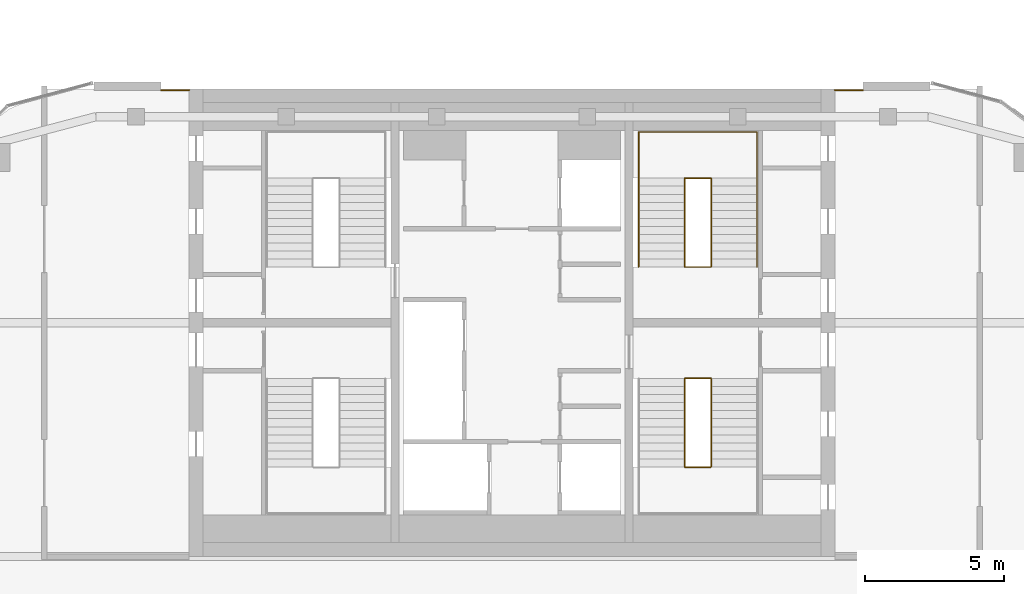
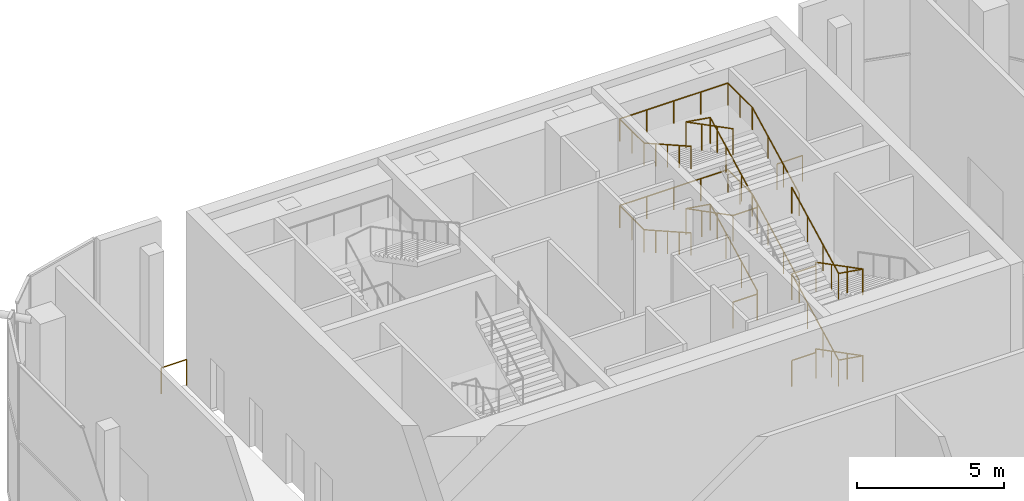
# One storey, part 23 of 23: 8 railings.
"""IFC4 building model written with IfcOpenShell, lengths in metres."""

from ifc_helpers import new_model, si_unit, direction, frame, origin, origin_2d, place, context, subcontext, project, spatial, circle, extrude, material, type_object, element, save


model = new_model("IFC4")

# Units and contexts
model_context = context("Model", 3, precision=1e-05, world=origin(), true_north=direction((0.0, 1.0)))
body_context = subcontext(model_context, "Body", "Model", "MODEL_VIEW")
ifc_project = project(units=[si_unit("LENGTHUNIT", "METRE"), si_unit("AREAUNIT", "SQUARE_METRE"), si_unit("VOLUMEUNIT", "CUBIC_METRE"), si_unit("PLANEANGLEUNIT", "RADIAN"), si_unit("MASSUNIT", "GRAM", prefix="KILO")], contexts=[model_context])

# Site, building, storey
site_placement = place(None, origin())
site = spatial("IfcSite", under=ifc_project, at=site_placement, CompositionType="ELEMENT")
building_placement = place(site_placement, origin())
building = spatial("IfcBuilding", under=site, at=building_placement, Name="Marenta Gate Hotel Tower", CompositionType="ELEMENT")
storey_placement = place(building_placement, frame((0.0, 0.0, 288.5)))
storey = spatial("IfcBuildingStorey", under=building, at=storey_placement, Name="L66", CompositionType="ELEMENT", Elevation=288.5)

# Railings
ifc_material_1 = material(Name="Stainless steel", Category="steel")
railing_type_1 = type_object("IfcRailingType", Name="Core stair handrail 950", PredefinedType="HANDRAIL", material=ifc_material_1)
railing_1_placement = place(storey_placement, frame((8.800048828125, 10.39990234375, 0.14990234375)))
element("IfcRailing", 1, at=railing_1_placement, inside=storey, type_object=railing_type_1, Name="HR-950 L66-KR-ST4-1", PredefinedType="HANDRAIL", context=body_context, shape_type="SweptSolid", body=[
    extrude(circle(Radius=0.02392578125, at=origin_2d()), frame((0.0, 0.0, 0.92578125), z_axis=(0.0, 0.888211904222, 0.459434013977), x_axis=(-1.0, 0.0, 0.0)), (0.0, 0.0, 1.0), 3.591796875),
    extrude(circle(Radius=0.02392578125, at=origin_2d()), frame((0.0, 3.190185546875, 2.576171875), z_axis=(0.0, 1.0, 0.0), x_axis=(-1.0, 0.0, 0.0)), (0.0, 0.0, 1.0), 1.659912109375),
    extrude(circle(Radius=0.02392578125, at=origin_2d()), frame((0.0, 4.85009765625, 2.576171875), z_axis=(-1.0, 0.0, 0.0), x_axis=(0.0, -1.0, 0.0)), (0.0, 0.0, 1.0), 4.25),
    extrude(circle(Radius=0.02392578125, at=origin_2d()), frame((-4.25, 4.85009765625, 2.576171875), z_axis=(0.0, -1.0, 0.0), x_axis=(1.0, 0.0, 0.0)), (0.0, 0.0, 1.0), 1.659912109375),
    extrude(circle(Radius=0.02392578125, at=origin_2d()), frame((-4.25, 3.190185546875, 2.576171875), z_axis=(0.0, -0.870925075533, 0.491415824742), x_axis=(1.0, 0.0, 0.0)), (0.0, 0.0, 1.0), 3.6630859375),
    extrude(circle(Radius=0.02099609375, at=origin_2d()), origin(), (0.0, 0.0, 1.0), 0.90185546875),
    extrude(circle(Radius=0.02099609375, at=origin_2d()), frame((0.0, 1.0634765625, 0.550048828125)), (0.0, 0.0, 1.0), 0.90185546875),
    extrude(circle(Radius=0.02099609375, at=origin_2d()), frame((0.0, 2.126708984375, 1.10009765625)), (0.0, 0.0, 1.0), 0.90185546875),
    extrude(circle(Radius=0.02099609375, at=origin_2d()), frame((0.0, 3.190185546875, 1.650146484375)), (0.0, 0.0, 1.0), 0.90185546875),
    extrude(circle(Radius=0.02099609375, at=origin_2d()), frame((0.0, 4.02001953125, 1.650146484375)), (0.0, 0.0, 1.0), 0.90185546875),
    extrude(circle(Radius=0.02099609375, at=origin_2d()), frame((0.0, 4.85009765625, 1.650146484375)), (0.0, 0.0, 1.0), 0.90185546875),
    extrude(circle(Radius=0.02099609375, at=origin_2d()), frame((-1.0625, 4.85009765625, 1.650146484375)), (0.0, 0.0, 1.0), 0.90185546875),
    extrude(circle(Radius=0.02099609375, at=origin_2d()), frame((-2.125, 4.85009765625, 1.650146484375)), (0.0, 0.0, 1.0), 0.90185546875),
    extrude(circle(Radius=0.02099609375, at=origin_2d()), frame((-3.1875, 4.85009765625, 1.650146484375)), (0.0, 0.0, 1.0), 0.90185546875),
    extrude(circle(Radius=0.02099609375, at=origin_2d()), frame((-4.25, 4.85009765625, 1.650146484375)), (0.0, 0.0, 1.0), 0.90185546875),
    extrude(circle(Radius=0.02099609375, at=origin_2d()), frame((-4.25, 4.02001953125, 1.650146484375)), (0.0, 0.0, 1.0), 0.90185546875),
    extrude(circle(Radius=0.02099609375, at=origin_2d()), frame((-4.25, 3.190185546875, 1.650146484375)), (0.0, 0.0, 1.0), 0.90185546875),
    extrude(circle(Radius=0.02099609375, at=origin_2d()), frame((-4.25, 2.392578125, 2.10009765625)), (0.0, 0.0, 1.0), 0.90185546875),
    extrude(circle(Radius=0.02099609375, at=origin_2d()), frame((-4.25, 1.59521484375, 2.55029296875)), (0.0, 0.0, 1.0), 0.90185546875),
    extrude(circle(Radius=0.02099609375, at=origin_2d()), frame((-4.25, 0.797607421875, 3.000244140625)), (0.0, 0.0, 1.0), 0.90185546875),
    extrude(circle(Radius=0.02099609375, at=origin_2d()), frame((-4.25, 0.0, 3.4501953125)), (0.0, 0.0, 1.0), 0.90185546875),
])
railing_2_placement = place(storey_placement, frame((8.800048828125, 10.39990234375, 3.75)))
element("IfcRailing", 2, at=railing_2_placement, inside=storey, type_object=railing_type_1, Name="HR-950 L66-KR-ST4-3", PredefinedType="HANDRAIL", context=body_context, shape_type="SweptSolid", body=[
    extrude(circle(Radius=0.02392578125, at=origin_2d()), frame((0.0, 0.0, 0.92578125), z_axis=(0.0, 0.888239641807, 0.459380385653), x_axis=(-1.0, 0.0, 0.0)), (0.0, 0.0, 1.0), 3.591552734375),
    extrude(circle(Radius=0.02392578125, at=origin_2d()), frame((0.0, 3.190185546875, 2.57568359375), z_axis=(0.0, 1.0, 0.0), x_axis=(-1.0, 0.0, 0.0)), (0.0, 0.0, 1.0), 1.659912109375),
    extrude(circle(Radius=0.02392578125, at=origin_2d()), frame((0.0, 4.85009765625, 2.57568359375), z_axis=(-1.0, 0.0, 0.0), x_axis=(0.0, -1.0, 0.0)), (0.0, 0.0, 1.0), 4.25),
    extrude(circle(Radius=0.02392578125, at=origin_2d()), frame((-4.25, 4.85009765625, 2.57568359375), z_axis=(0.0, -1.0, 0.0), x_axis=(1.0, 0.0, 0.0)), (0.0, 0.0, 1.0), 1.659912109375),
    extrude(circle(Radius=0.02392578125, at=origin_2d()), frame((-4.25, 3.190185546875, 2.57568359375), z_axis=(0.0, -0.870925075533, 0.491415824742), x_axis=(1.0, 0.0, 0.0)), (0.0, 0.0, 1.0), 3.6630859375),
    extrude(circle(Radius=0.02099609375, at=origin_2d()), origin(), (0.0, 0.0, 1.0), 0.90185546875),
    extrude(circle(Radius=0.02099609375, at=origin_2d()), frame((0.0, 1.0634765625, 0.550048828125)), (0.0, 0.0, 1.0), 0.90185546875),
    extrude(circle(Radius=0.02099609375, at=origin_2d()), frame((0.0, 2.126708984375, 1.099853515625)), (0.0, 0.0, 1.0), 0.90185546875),
    extrude(circle(Radius=0.02099609375, at=origin_2d()), frame((0.0, 3.190185546875, 1.64990234375)), (0.0, 0.0, 1.0), 0.90185546875),
    extrude(circle(Radius=0.02099609375, at=origin_2d()), frame((0.0, 4.02001953125, 1.64990234375)), (0.0, 0.0, 1.0), 0.90185546875),
    extrude(circle(Radius=0.02099609375, at=origin_2d()), frame((0.0, 4.85009765625, 1.64990234375)), (0.0, 0.0, 1.0), 0.90185546875),
    extrude(circle(Radius=0.02099609375, at=origin_2d()), frame((-1.0625, 4.85009765625, 1.64990234375)), (0.0, 0.0, 1.0), 0.90185546875),
    extrude(circle(Radius=0.02099609375, at=origin_2d()), frame((-2.125, 4.85009765625, 1.64990234375)), (0.0, 0.0, 1.0), 0.90185546875),
    extrude(circle(Radius=0.02099609375, at=origin_2d()), frame((-3.1875, 4.85009765625, 1.64990234375)), (0.0, 0.0, 1.0), 0.90185546875),
    extrude(circle(Radius=0.02099609375, at=origin_2d()), frame((-4.25, 4.85009765625, 1.64990234375)), (0.0, 0.0, 1.0), 0.90185546875),
    extrude(circle(Radius=0.02099609375, at=origin_2d()), frame((-4.25, 4.02001953125, 1.64990234375)), (0.0, 0.0, 1.0), 0.90185546875),
    extrude(circle(Radius=0.02099609375, at=origin_2d()), frame((-4.25, 3.190185546875, 1.64990234375)), (0.0, 0.0, 1.0), 0.90185546875),
    extrude(circle(Radius=0.02099609375, at=origin_2d()), frame((-4.25, 2.392578125, 2.099853515625)), (0.0, 0.0, 1.0), 0.90185546875),
    extrude(circle(Radius=0.02099609375, at=origin_2d()), frame((-4.25, 1.59521484375, 2.5498046875)), (0.0, 0.0, 1.0), 0.90185546875),
    extrude(circle(Radius=0.02099609375, at=origin_2d()), frame((-4.25, 0.797607421875, 3.0)), (0.0, 0.0, 1.0), 0.90185546875),
    extrude(circle(Radius=0.02099609375, at=origin_2d()), frame((-4.25, 0.0, 3.449951171875)), (0.0, 0.0, 1.0), 0.90185546875),
])
ifc_material_2 = material(Name="Stainless steel", Category="steel")
railing_type_2 = type_object("IfcRailingType", Name="Core stair well guard 1100", PredefinedType="GUARDRAIL", material=ifc_material_2)
railing_3_placement = place(storey_placement, frame((6.199951171875, 6.39990234375, 0.0)))
element("IfcRailing", 3, at=railing_3_placement, inside=storey, type_object=railing_type_2, Name="GR-1100 L66-KR-ST3-2", PredefinedType="GUARDRAIL", context=body_context, shape_type="SweptSolid", body=[
    extrude(circle(Radius=0.02392578125, at=origin_2d()), frame((0.0, 0.0, 1.076171875), z_axis=(1.0, 0.0, 0.0), x_axis=(0.0, 1.0, 0.0)), (0.0, 0.0, 1.0), 0.949951171875),
    extrude(circle(Radius=0.02392578125, at=origin_2d()), frame((0.949951171875, 0.0, 1.076171875), z_axis=(0.0, 0.0, 1.0), x_axis=(1.0, 0.0, 0.0)), (0.0, 0.0, 1.0), 0.14990234375),
    extrude(circle(Radius=0.02392578125, at=origin_2d()), frame((0.949951171875, 0.0, 1.22607421875), z_axis=(0.0, -0.888197555067, 0.459461753765), x_axis=(1.0, 0.0, 0.0)), (0.0, 0.0, 1.0), 3.591552734375),
    extrude(circle(Radius=0.02392578125, at=origin_2d()), frame((0.949951171875, -3.18994140625, 2.8759765625), z_axis=(-0.987777369502, 0.0, 0.15587131968), x_axis=(0.0, -1.0, 0.0)), (0.0, 0.0, 1.0), 0.961669921875),
    extrude(circle(Radius=0.02392578125, at=origin_2d()), frame((0.0, -3.18994140625, 3.02587890625), z_axis=(0.0, 0.888197555067, 0.459461753765), x_axis=(-1.0, 0.0, 0.0)), (0.0, 0.0, 1.0), 3.591552734375),
    extrude(circle(Radius=0.02099609375, at=origin_2d()), origin(), (0.0, 0.0, 1.0), 1.052001953125),
    extrude(circle(Radius=0.02099609375, at=origin_2d()), frame((0.949951171875, 0.0, 0.0)), (0.0, 0.0, 1.0), 1.052001953125),
    extrude(circle(Radius=0.02099609375, at=origin_2d()), frame((0.949951171875, 0.0, 0.14990234375)), (0.0, 0.0, 1.0), 1.052001953125),
    extrude(circle(Radius=0.02099609375, at=origin_2d()), frame((0.949951171875, -1.063232421875, 0.699951171875)), (0.0, 0.0, 1.0), 1.052001953125),
    extrude(circle(Radius=0.02099609375, at=origin_2d()), frame((0.949951171875, -2.126708984375, 1.25)), (0.0, 0.0, 1.0), 1.052001953125),
    extrude(circle(Radius=0.02099609375, at=origin_2d()), frame((0.949951171875, -3.18994140625, 1.800048828125)), (0.0, 0.0, 1.0), 1.052001953125),
    extrude(circle(Radius=0.02099609375, at=origin_2d()), frame((0.0, -3.18994140625, 1.949951171875)), (0.0, 0.0, 1.0), 1.052001953125),
    extrude(circle(Radius=0.02099609375, at=origin_2d()), frame((0.0, -2.126708984375, 2.5)), (0.0, 0.0, 1.0), 1.052001953125),
    extrude(circle(Radius=0.02099609375, at=origin_2d()), frame((0.0, -1.063232421875, 3.050048828125)), (0.0, 0.0, 1.0), 1.052001953125),
    extrude(circle(Radius=0.02099609375, at=origin_2d()), frame((0.0, 0.0, 3.60009765625)), (0.0, 0.0, 1.0), 1.052001953125),
])
railing_4_placement = place(storey_placement, frame((6.199951171875, 6.39990234375, 3.60009765625)))
element("IfcRailing", 4, at=railing_4_placement, inside=storey, type_object=railing_type_2, Name="GR-1100 L66-KR-ST3-4", PredefinedType="GUARDRAIL", context=body_context, shape_type="SweptSolid", body=[
    extrude(circle(Radius=0.02392578125, at=origin_2d()), frame((0.0, 0.0, 1.076171875), z_axis=(1.0, 0.0, 0.0), x_axis=(0.0, 1.0, 0.0)), (0.0, 0.0, 1.0), 0.949951171875),
    extrude(circle(Radius=0.02392578125, at=origin_2d()), frame((0.949951171875, 0.0, 1.076171875), z_axis=(0.0, 0.0, 1.0), x_axis=(1.0, 0.0, 0.0)), (0.0, 0.0, 1.0), 0.14990234375),
    extrude(circle(Radius=0.02392578125, at=origin_2d()), frame((0.949951171875, 0.0, 1.22607421875), z_axis=(0.0, -0.888225295554, 0.459408123936), x_axis=(1.0, 0.0, 0.0)), (0.0, 0.0, 1.0), 3.59130859375),
    extrude(circle(Radius=0.02392578125, at=origin_2d()), frame((0.949951171875, -3.18994140625, 2.8759765625), z_axis=(-0.987738253826, 0.0, 0.156118999255), x_axis=(0.0, -1.0, 0.0)), (0.0, 0.0, 1.0), 0.961669921875),
    extrude(circle(Radius=0.02392578125, at=origin_2d()), frame((0.0, -3.18994140625, 3.02587890625), z_axis=(0.0, 0.888225295554, 0.459408123936), x_axis=(-1.0, 0.0, 0.0)), (0.0, 0.0, 1.0), 3.59130859375),
    extrude(circle(Radius=0.02099609375, at=origin_2d()), origin(), (0.0, 0.0, 1.0), 1.052001953125),
    extrude(circle(Radius=0.02099609375, at=origin_2d()), frame((0.949951171875, 0.0, 0.0)), (0.0, 0.0, 1.0), 1.052001953125),
    extrude(circle(Radius=0.02099609375, at=origin_2d()), frame((0.949951171875, 0.0, 0.14990234375)), (0.0, 0.0, 1.0), 1.052001953125),
    extrude(circle(Radius=0.02099609375, at=origin_2d()), frame((0.949951171875, -1.063232421875, 0.699951171875)), (0.0, 0.0, 1.0), 1.052001953125),
    extrude(circle(Radius=0.02099609375, at=origin_2d()), frame((0.949951171875, -2.126708984375, 1.249755859375)), (0.0, 0.0, 1.0), 1.052001953125),
    extrude(circle(Radius=0.02099609375, at=origin_2d()), frame((0.949951171875, -3.18994140625, 1.7998046875)), (0.0, 0.0, 1.0), 1.052001953125),
    extrude(circle(Radius=0.02099609375, at=origin_2d()), frame((0.0, -3.18994140625, 1.949951171875)), (0.0, 0.0, 1.0), 1.052001953125),
    extrude(circle(Radius=0.02099609375, at=origin_2d()), frame((0.0, -2.126708984375, 2.5)), (0.0, 0.0, 1.0), 1.052001953125),
    extrude(circle(Radius=0.02099609375, at=origin_2d()), frame((0.0, -1.063232421875, 3.0498046875)), (0.0, 0.0, 1.0), 1.052001953125),
    extrude(circle(Radius=0.02099609375, at=origin_2d()), frame((0.0, 0.0, 3.599853515625)), (0.0, 0.0, 1.0), 1.052001953125),
])
railing_5_placement = place(storey_placement, frame((6.199951171875, 10.39990234375, 0.0)))
element("IfcRailing", 5, at=railing_5_placement, inside=storey, type_object=railing_type_2, Name="GR-1100 L66-KR-ST4-2", PredefinedType="GUARDRAIL", context=body_context, shape_type="SweptSolid", body=[
    extrude(circle(Radius=0.02392578125, at=origin_2d()), frame((0.0, 0.0, 1.076171875), z_axis=(1.0, 0.0, 0.0), x_axis=(0.0, 1.0, 0.0)), (0.0, 0.0, 1.0), 0.949951171875),
    extrude(circle(Radius=0.02392578125, at=origin_2d()), frame((0.949951171875, 0.0, 1.076171875), z_axis=(0.0, 0.0, 1.0), x_axis=(1.0, 0.0, 0.0)), (0.0, 0.0, 1.0), 0.14990234375),
    extrude(circle(Radius=0.02392578125, at=origin_2d()), frame((0.949951171875, 0.0, 1.22607421875), z_axis=(0.0, 0.888211904222, 0.459434013977), x_axis=(-1.0, 0.0, 0.0)), (0.0, 0.0, 1.0), 3.591796875),
    extrude(circle(Radius=0.02392578125, at=origin_2d()), frame((0.949951171875, 3.190185546875, 2.8759765625), z_axis=(-0.987777369502, 0.0, 0.15587131968), x_axis=(0.0, -1.0, 0.0)), (0.0, 0.0, 1.0), 0.961669921875),
    extrude(circle(Radius=0.02392578125, at=origin_2d()), frame((0.0, 3.190185546875, 3.02587890625), z_axis=(0.0, -0.888211904222, 0.459434013977), x_axis=(1.0, 0.0, 0.0)), (0.0, 0.0, 1.0), 3.591796875),
    extrude(circle(Radius=0.02099609375, at=origin_2d()), origin(), (0.0, 0.0, 1.0), 1.052001953125),
    extrude(circle(Radius=0.02099609375, at=origin_2d()), frame((0.949951171875, 0.0, 0.0)), (0.0, 0.0, 1.0), 1.052001953125),
    extrude(circle(Radius=0.02099609375, at=origin_2d()), frame((0.949951171875, 0.0, 0.14990234375)), (0.0, 0.0, 1.0), 1.052001953125),
    extrude(circle(Radius=0.02099609375, at=origin_2d()), frame((0.949951171875, 1.0634765625, 0.699951171875)), (0.0, 0.0, 1.0), 1.052001953125),
    extrude(circle(Radius=0.02099609375, at=origin_2d()), frame((0.949951171875, 2.126708984375, 1.25)), (0.0, 0.0, 1.0), 1.052001953125),
    extrude(circle(Radius=0.02099609375, at=origin_2d()), frame((0.949951171875, 3.190185546875, 1.800048828125)), (0.0, 0.0, 1.0), 1.052001953125),
    extrude(circle(Radius=0.02099609375, at=origin_2d()), frame((0.0, 3.190185546875, 1.949951171875)), (0.0, 0.0, 1.0), 1.052001953125),
    extrude(circle(Radius=0.02099609375, at=origin_2d()), frame((0.0, 2.126708984375, 2.5)), (0.0, 0.0, 1.0), 1.052001953125),
    extrude(circle(Radius=0.02099609375, at=origin_2d()), frame((0.0, 1.0634765625, 3.050048828125)), (0.0, 0.0, 1.0), 1.052001953125),
    extrude(circle(Radius=0.02099609375, at=origin_2d()), frame((0.0, 0.0, 3.60009765625)), (0.0, 0.0, 1.0), 1.052001953125),
])
railing_6_placement = place(storey_placement, frame((6.199951171875, 10.39990234375, 3.60009765625)))
element("IfcRailing", 6, at=railing_6_placement, inside=storey, type_object=railing_type_2, Name="GR-1100 L66-KR-ST4-4", PredefinedType="GUARDRAIL", context=body_context, shape_type="SweptSolid", body=[
    extrude(circle(Radius=0.02392578125, at=origin_2d()), frame((0.0, 0.0, 1.076171875), z_axis=(1.0, 0.0, 0.0), x_axis=(0.0, 1.0, 0.0)), (0.0, 0.0, 1.0), 0.949951171875),
    extrude(circle(Radius=0.02392578125, at=origin_2d()), frame((0.949951171875, 0.0, 1.076171875), z_axis=(0.0, 0.0, 1.0), x_axis=(1.0, 0.0, 0.0)), (0.0, 0.0, 1.0), 0.14990234375),
    extrude(circle(Radius=0.02392578125, at=origin_2d()), frame((0.949951171875, 0.0, 1.22607421875), z_axis=(0.0, 0.888239641807, 0.459380385653), x_axis=(-1.0, 0.0, 0.0)), (0.0, 0.0, 1.0), 3.591552734375),
    extrude(circle(Radius=0.02392578125, at=origin_2d()), frame((0.949951171875, 3.190185546875, 2.8759765625), z_axis=(-0.987738253826, 0.0, 0.156118999255), x_axis=(0.0, -1.0, 0.0)), (0.0, 0.0, 1.0), 0.961669921875),
    extrude(circle(Radius=0.02392578125, at=origin_2d()), frame((0.0, 3.190185546875, 3.02587890625), z_axis=(0.0, -0.888239641807, 0.459380385653), x_axis=(1.0, 0.0, 0.0)), (0.0, 0.0, 1.0), 3.591552734375),
    extrude(circle(Radius=0.02099609375, at=origin_2d()), origin(), (0.0, 0.0, 1.0), 1.052001953125),
    extrude(circle(Radius=0.02099609375, at=origin_2d()), frame((0.949951171875, 0.0, 0.0)), (0.0, 0.0, 1.0), 1.052001953125),
    extrude(circle(Radius=0.02099609375, at=origin_2d()), frame((0.949951171875, 0.0, 0.14990234375)), (0.0, 0.0, 1.0), 1.052001953125),
    extrude(circle(Radius=0.02099609375, at=origin_2d()), frame((0.949951171875, 1.0634765625, 0.699951171875)), (0.0, 0.0, 1.0), 1.052001953125),
    extrude(circle(Radius=0.02099609375, at=origin_2d()), frame((0.949951171875, 2.126708984375, 1.249755859375)), (0.0, 0.0, 1.0), 1.052001953125),
    extrude(circle(Radius=0.02099609375, at=origin_2d()), frame((0.949951171875, 3.190185546875, 1.7998046875)), (0.0, 0.0, 1.0), 1.052001953125),
    extrude(circle(Radius=0.02099609375, at=origin_2d()), frame((0.0, 3.190185546875, 1.949951171875)), (0.0, 0.0, 1.0), 1.052001953125),
    extrude(circle(Radius=0.02099609375, at=origin_2d()), frame((0.0, 2.126708984375, 2.5)), (0.0, 0.0, 1.0), 1.052001953125),
    extrude(circle(Radius=0.02099609375, at=origin_2d()), frame((0.0, 1.0634765625, 3.0498046875)), (0.0, 0.0, 1.0), 1.052001953125),
    extrude(circle(Radius=0.02099609375, at=origin_2d()), frame((0.0, 0.0, 3.599853515625)), (0.0, 0.0, 1.0), 1.052001953125),
])
ifc_material_3 = material(Name="Stainless steel", Category="steel")
railing_type_3 = type_object("IfcRailingType", Name="Slab edge guard 1100", PredefinedType="GUARDRAIL", material=ifc_material_3)
railing_7_placement = place(storey_placement, frame((11.60009765625, 16.75, 0.0)))
element("IfcRailing", 7, at=railing_7_placement, inside=storey, type_object=railing_type_3, Name="GR-1100E L66-KR-EGE-1", PredefinedType="GUARDRAIL", context=body_context, shape_type="SweptSolid", body=[
    extrude(circle(Radius=0.02392578125, at=origin_2d()), frame((0.0, 0.0, 1.076171875), z_axis=(1.0, 0.0, 0.0), x_axis=(0.0, 1.0, 0.0)), (0.0, 0.0, 1.0), 1.0),
    extrude(circle(Radius=0.02099609375, at=origin_2d()), origin(), (0.0, 0.0, 1.0), 1.052001953125),
    extrude(circle(Radius=0.02099609375, at=origin_2d()), frame((1.0, 0.0, 0.0)), (0.0, 0.0, 1.0), 1.052001953125),
])
railing_8_placement = place(storey_placement, frame((-11.60009765625, 16.75, 0.0)))
element("IfcRailing", 8, at=railing_8_placement, inside=storey, type_object=railing_type_3, Name="GR-1100E L66-KR-EGW-1", PredefinedType="GUARDRAIL", context=body_context, shape_type="SweptSolid", body=[
    extrude(circle(Radius=0.02392578125, at=origin_2d()), frame((0.0, 0.0, 1.076171875), z_axis=(-1.0, 0.0, 0.0), x_axis=(0.0, -1.0, 0.0)), (0.0, 0.0, 1.0), 1.0),
    extrude(circle(Radius=0.02099609375, at=origin_2d()), origin(), (0.0, 0.0, 1.0), 1.052001953125),
    extrude(circle(Radius=0.02099609375, at=origin_2d()), frame((-1.0, 0.0, 0.0)), (0.0, 0.0, 1.0), 1.052001953125),
])

save(model, "model.ifc")
